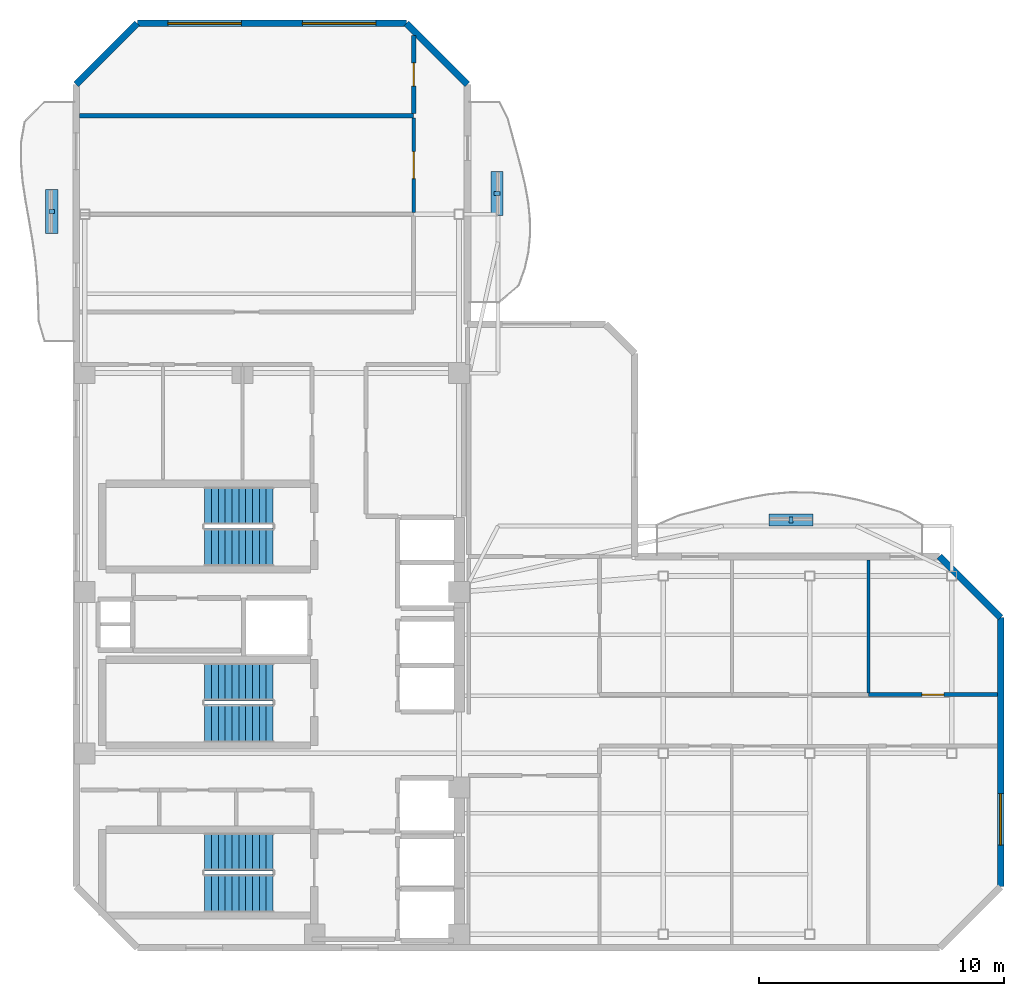
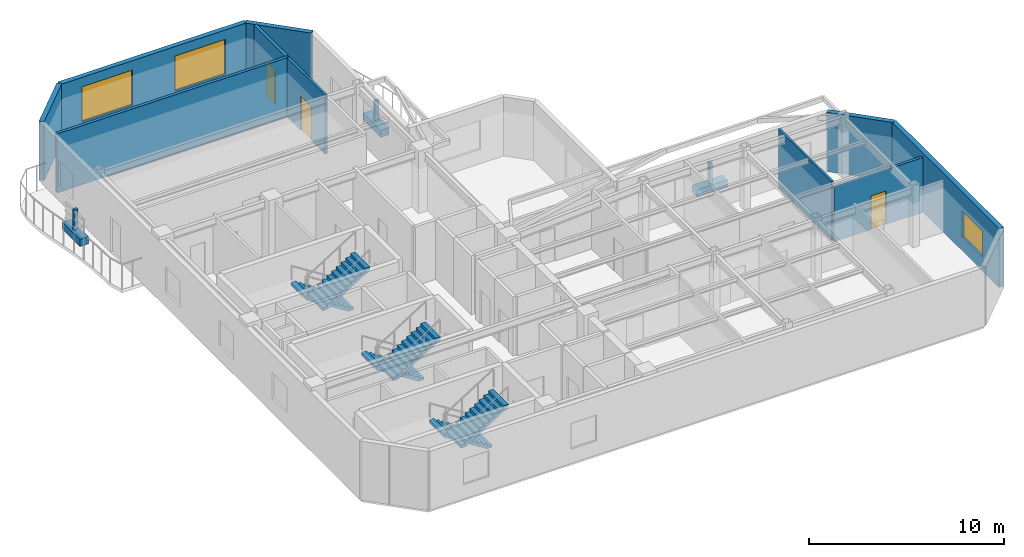
# One storey, part 5 of 7: 10 walls, 6 discrete accessories, 6 stair flights, 3 doors, 3 windows, 6 openings, 3 elements without a shape of their own.
"""IFC4 building model written with IfcOpenShell, lengths in metres."""

from ifc_helpers import new_model, si_unit, direction, frame, frame_2d, origin, origin_2d, place, context, subcontext, project, spatial, polyline, rectangle, outline, extrude, material, layer, layer_set, type_object, element, fill, aggregate, save


model = new_model("IFC4")

# Units and contexts
model_context = context("Model", 3, precision=1e-05, world=origin(), true_north=direction((0.0, 1.0)))
body_context = subcontext(model_context, "Body", "Model", "MODEL_VIEW")
ifc_project = project(units=[si_unit("LENGTHUNIT", "METRE"), si_unit("AREAUNIT", "SQUARE_METRE"), si_unit("VOLUMEUNIT", "CUBIC_METRE"), si_unit("PLANEANGLEUNIT", "RADIAN"), si_unit("MASSUNIT", "GRAM", prefix="KILO")], contexts=[model_context])

# Site, building, storey
site_placement = place(None, origin())
site = spatial("IfcSite", under=ifc_project, at=site_placement, CompositionType="ELEMENT")
building_placement = place(site_placement, origin())
building = spatial("IfcBuilding", under=site, at=building_placement, Name="Mawjaban Terraces University", CompositionType="ELEMENT")
storey_placement = place(building_placement, frame((0.0, 0.0, 252.10009765625)))
storey = spatial("IfcBuildingStorey", under=building, at=storey_placement, Name="L61", CompositionType="ELEMENT", Elevation=252.10009765625)

# Wall
ifc_material_1 = material(Name="Acoustic masonry blockwork", Category="masonry")
ifc_layer_1 = layer(ifc_material_1, 0.179931640625)
ifc_layer_set_1 = layer_set([ifc_layer_1], Name="Acoustic masonry blockwork")
wall_type_1 = type_object("IfcWallType", Name="AcousticStudioWall_180", PredefinedType="PARTITIONING", material=ifc_layer_set_1)
wall_1_placement = place(storey_placement, frame((35.800048828125, 34.02001953125, 0.0), z_axis=(0.0, 0.0, 1.0), x_axis=(-1.0, 0.0, 0.0)))
element("IfcWall", 1, at=wall_1_placement, inside=storey, type_object=wall_type_1, Name="L61 Computational Laboratory 9 Partition 14", PredefinedType="PARTITIONING", context=body_context, shape_type="SweptSolid", body=[
    extrude(rectangle(XDim=13.6669921875, YDim=0.179931640625, at=frame_2d((6.83349609375, 0.0))), origin(), (0.0, 0.0, 1.0), 3.68994140625),
])

# Wall, opening, door
wall_2_placement = place(storey_placement, frame((35.800048828125, 37.31298828125, 0.0), z_axis=(0.0, 0.0, 1.0), x_axis=(0.0, -1.0, 0.0)))
wall_2 = element("IfcWall", 2, at=wall_2_placement, inside=storey, type_object=wall_type_1, Name="L61 Upper North Research Gallery Partition 35", PredefinedType="PARTITIONING", context=body_context, shape_type="SweptSolid", body=[
    extrude(rectangle(XDim=3.2080078125, YDim=0.179931640625, at=frame_2d((1.60400390625, 0.0))), origin(), (0.0, 0.0, 1.0), 3.68994140625),
])
opening_1_placement = place(wall_2_placement, frame((1.12890625, 0.0, 0.0)))
opening_1 = element("IfcOpeningElement", 3, at=opening_1_placement, cuts=wall_2, Name="Opening ID-095", PredefinedType="OPENING", context=body_context, shape_type="SweptSolid", body=[
    extrude(rectangle(XDim=0.949951171875, YDim=2.10009765625, at=frame_2d((0.47509765625, 1.050048828125))), frame((0.0, 0.099853515625, 0.0), z_axis=(0.0, -1.0, 0.0), x_axis=(1.0, 0.0, 0.0)), (0.0, 0.0, 1.0), 0.199951171875),
])
ifc_material_2 = material(Name="Powder-coated steel frame and solid acoustic timber leaf", Category="steel")
door_type_1 = type_object("IfcDoorType", Name="StudioDoor_950x2100", OperationType="NOTDEFINED", PredefinedType="DOOR", material=ifc_material_2)
door_1_placement = place(opening_1_placement, origin())
door_1 = element("IfcDoor", 4, at=door_1_placement, inside=storey, type_object=door_type_1, Name="L61 Design Studio 10 Door", OperationType="SINGLE_SWING_RIGHT", OverallHeight=2.10009765625, OverallWidth=0.949951171875, PredefinedType="DOOR", context=body_context, shape_type="SweptSolid", body=[
    extrude(rectangle(XDim=0.949951171875, YDim=2.10009765625, at=frame_2d((0.47509765625, 1.050048828125))), frame((0.0, 0.02490234375, 0.0), z_axis=(0.0, -1.0, 0.0), x_axis=(1.0, 0.0, 0.0)), (0.0, 0.0, 1.0), 0.050048828125),
])
fill(opening_1, door_1)

ifc_material_3 = material(Name="Fire-rated gypsum board on steel stud", Category="steel")
ifc_layer_2 = layer(ifc_material_3, 0.159912109375)
ifc_layer_set_2 = layer_set([ifc_layer_2], Name="Fire-rated gypsum board on steel stud")
wall_type_2 = type_object("IfcWallType", Name="CorridorPartition_160", PredefinedType="PARTITIONING", material=ifc_layer_set_2)
wall_3_placement = place(storey_placement, frame((59.6669921875, 10.35009765625, 0.0), z_axis=(0.0, 0.0, 1.0), x_axis=(-1.0, 0.0, 0.0)))
wall_3 = element("IfcWall", 5, at=wall_3_placement, inside=storey, type_object=wall_type_2, Name="L61 Upper East Research Corridor Partition 24", PredefinedType="PARTITIONING", context=body_context, shape_type="SweptSolid", body=[
    extrude(rectangle(XDim=5.277099609375, YDim=0.159912109375, at=frame_2d((2.638671875, 0.0))), origin(), (0.0, 0.0, 1.0), 3.423828125),
])
opening_2_placement = place(wall_3_placement, frame((2.18896484375, 0.0, 0.0)))
opening_2 = element("IfcOpeningElement", 6, at=opening_2_placement, cuts=wall_3, Name="Opening ID-090", PredefinedType="OPENING", context=body_context, shape_type="SweptSolid", body=[
    extrude(rectangle(XDim=0.89990234375, YDim=2.10009765625, at=frame_2d((0.449951171875, 1.050048828125))), frame((0.0, 0.08984375, 0.0), z_axis=(0.0, -1.0, 0.0), x_axis=(1.0, 0.0, 0.0)), (0.0, 0.0, 1.0), 0.179931640625),
])
door_type_2 = type_object("IfcDoorType", Name="OfficeDoor_900x2100", OperationType="NOTDEFINED", PredefinedType="DOOR", material=ifc_material_2)
door_2_placement = place(opening_2_placement, origin())
door_2 = element("IfcDoor", 7, at=door_2_placement, inside=storey, type_object=door_type_2, Name="L61 Faculty Office 7 Door", OperationType="SINGLE_SWING_LEFT", OverallHeight=2.10009765625, OverallWidth=0.89990234375, PredefinedType="DOOR", context=body_context, shape_type="SweptSolid", body=[
    extrude(rectangle(XDim=0.89990234375, YDim=2.10009765625, at=frame_2d((0.449951171875, 1.050048828125))), frame((0.0, 0.02490234375, 0.0), z_axis=(0.0, -1.0, 0.0), x_axis=(1.0, 0.0, 0.0)), (0.0, 0.0, 1.0), 0.050048828125),
])
fill(opening_2, door_2)

# Wall, opening, window
ifc_material_4 = material(Name="Insulated terracotta rainscreen on concrete backup C40/50", Category="masonry")
ifc_layer_3 = layer(ifc_material_4, 0.27490234375)
ifc_layer_set_3 = layer_set([ifc_layer_3], Name="Insulated terracotta rainscreen on concrete backup C40/50")
wall_type_3 = type_object("IfcWallType", Name="ExtTerracottaWall_275", PredefinedType="SOLIDWALL", material=ifc_layer_set_3)
wall_4_placement = place(storey_placement, frame((59.800048828125, 2.5, 0.0), z_axis=(0.0, 0.0, 1.0), x_axis=(0.0, 1.0, 0.0)))
wall_4 = element("IfcWall", 8, at=wall_4_placement, inside=storey, type_object=wall_type_3, Name="L61 Exterior Terracotta Wall 3", PredefinedType="SOLIDWALL", context=body_context, shape_type="SweptSolid", body=[
    extrude(rectangle(XDim=11.0, YDim=0.27490234375, at=frame_2d((5.5, 0.0))), origin(), (0.0, 0.0, 1.0), 3.68994140625),
])
opening_3_placement = place(wall_4_placement, frame((1.699951171875, 0.0, 0.89990234375)))
opening_3 = element("IfcOpeningElement", 9, at=opening_3_placement, cuts=wall_4, Name="Opening W-04", PredefinedType="OPENING", context=body_context, shape_type="SweptSolid", body=[
    extrude(rectangle(XDim=2.10009765625, YDim=1.60009765625, at=frame_2d((1.050048828125, 0.800048828125))), frame((0.0, 0.1474609375, 0.0), z_axis=(0.0, -1.0, 0.0), x_axis=(1.0, 0.0, 0.0)), (0.0, 0.0, 1.0), 0.294921875),
])
ifc_material_5 = material(Name="Low-E solar-control double glazing in thermally broken aluminium frame", Category="aluminium")
window_type_1 = type_object("IfcWindowType", Name="Win_2100x1600", PartitioningType="SINGLE_PANEL", PredefinedType="WINDOW", material=ifc_material_5)
window_1_placement = place(opening_3_placement, origin())
window_1 = element("IfcWindow", 10, at=window_1_placement, inside=storey, type_object=window_type_1, Name="L61 Facade Window 3.1", OverallHeight=1.60009765625, OverallWidth=2.10009765625, PartitioningType="SINGLE_PANEL", PredefinedType="WINDOW", context=body_context, shape_type="SweptSolid", body=[
    extrude(rectangle(XDim=2.10009765625, YDim=1.60009765625, at=frame_2d((1.050048828125, 0.800048828125))), frame((0.0, 0.030029296875, 0.0), z_axis=(0.0, -1.0, 0.0), x_axis=(1.0, 0.0, 0.0)), (0.0, 0.0, 1.0), 0.06005859375),
])
fill(opening_3, window_1)

# Walls
for number, where, z_axis, x_axis, name in (
    (11, (59.800048828125, 13.5, 0.0), (0.0, 0.0, 1.0), (-0.707106781187, 0.707106781187, 0.0), "L61 Exterior Terracotta Wall 4"),
    (12, (38.0, 35.300048828125, 0.0), (0.0, 0.0, 1.0), (-0.707106781187, 0.707106781187, 0.0), "L61 Exterior Terracotta Wall 10"),
):
    element("IfcWall", number, at=place(storey_placement, frame(where, z_axis=z_axis, x_axis=x_axis)), inside=storey, type_object=wall_type_3, Name=name, PredefinedType="SOLIDWALL", context=body_context, shape_type="SweptSolid", body=[
        extrude(rectangle(XDim=3.53564453125, YDim=0.27490234375, at=frame_2d((1.767822265625, 0.0))), origin(), (0.0, 0.0, 1.0), 3.68994140625),
    ])

# Wall, openings, windows
wall_5_placement = place(storey_placement, frame((35.5, 37.800048828125, 0.0), z_axis=(0.0, 0.0, 1.0), x_axis=(-1.0, 0.0, 0.0)))
wall_5 = element("IfcWall", 13, at=wall_5_placement, inside=storey, type_object=wall_type_3, Name="L61 Exterior Terracotta Wall 11", PredefinedType="SOLIDWALL", context=body_context, shape_type="SweptSolid", body=[
    extrude(rectangle(XDim=11.0, YDim=0.27490234375, at=frame_2d((5.5, 0.0))), origin(), (0.0, 0.0, 1.0), 3.68994140625),
])
opening_4_placement = place(wall_5_placement, frame((1.25, 0.0, 0.89990234375)))
opening_4 = element("IfcOpeningElement", 14, at=opening_4_placement, cuts=wall_5, Name="Opening W-12", PredefinedType="OPENING", context=body_context, shape_type="SweptSolid", body=[
    extrude(rectangle(XDim=3.0, YDim=2.199951171875, at=frame_2d((1.5, 1.10009765625))), frame((0.0, 0.1474609375, 0.0), z_axis=(0.0, -1.0, 0.0), x_axis=(1.0, 0.0, 0.0)), (0.0, 0.0, 1.0), 0.294921875),
])
opening_5_placement = place(wall_5_placement, frame((6.75, 0.0, 0.89990234375)))
opening_5 = element("IfcOpeningElement", 15, at=opening_5_placement, cuts=wall_5, Name="Opening W-12", PredefinedType="OPENING", context=body_context, shape_type="SweptSolid", body=[
    extrude(rectangle(XDim=3.0, YDim=2.199951171875, at=frame_2d((1.5, 1.10009765625))), frame((0.0, 0.1474609375, 0.0), z_axis=(0.0, -1.0, 0.0), x_axis=(1.0, 0.0, 0.0)), (0.0, 0.0, 1.0), 0.294921875),
])
window_type_2 = type_object("IfcWindowType", Name="Win_3000x2200", PartitioningType="SINGLE_PANEL", PredefinedType="WINDOW", material=ifc_material_5)
window_2_placement = place(opening_4_placement, origin())
window_2 = element("IfcWindow", 16, at=window_2_placement, inside=storey, type_object=window_type_2, Name="L61 Facade Window 11.1", OverallHeight=2.199951171875, OverallWidth=3.0, PartitioningType="SINGLE_PANEL", PredefinedType="WINDOW", context=body_context, shape_type="SweptSolid", body=[
    extrude(rectangle(XDim=3.0, YDim=2.199951171875, at=frame_2d((1.5, 1.10009765625))), frame((0.0, 0.030029296875, 0.0), z_axis=(0.0, -1.0, 0.0), x_axis=(1.0, 0.0, 0.0)), (0.0, 0.0, 1.0), 0.06005859375),
])
fill(opening_4, window_2)
window_3_placement = place(opening_5_placement, origin())
window_3 = element("IfcWindow", 17, at=window_3_placement, inside=storey, type_object=window_type_2, Name="L61 Facade Window 11.2", OverallHeight=2.199951171875, OverallWidth=3.0, PartitioningType="SINGLE_PANEL", PredefinedType="WINDOW", context=body_context, shape_type="SweptSolid", body=[
    extrude(rectangle(XDim=3.0, YDim=2.199951171875, at=frame_2d((1.5, 1.10009765625))), frame((0.0, 0.030029296875, 0.0), z_axis=(0.0, -1.0, 0.0), x_axis=(1.0, 0.0, 0.0)), (0.0, 0.0, 1.0), 0.06005859375),
])
fill(opening_5, window_3)

# Wall
wall_6_placement = place(storey_placement, frame((24.5, 37.800048828125, 0.0), z_axis=(0.0, 0.0, 1.0), x_axis=(-0.707106781187, -0.707106781187, 0.0)))
element("IfcWall", 18, at=wall_6_placement, inside=storey, type_object=wall_type_3, Name="L61 Exterior Terracotta Wall 12", PredefinedType="SOLIDWALL", context=body_context, shape_type="SweptSolid", body=[
    extrude(rectangle(XDim=3.53564453125, YDim=0.27490234375, at=frame_2d((1.767822265625, 0.0))), origin(), (0.0, 0.0, 1.0), 3.68994140625),
])

# Wall, opening, door
ifc_material_6 = material(Name="Moisture-resistant gypsum board on steel stud", Category="steel")
ifc_layer_4 = layer(ifc_material_6, 0.14501953125)
ifc_layer_set_4 = layer_set([ifc_layer_4], Name="Moisture-resistant gypsum board on steel stud")
wall_type_4 = type_object("IfcWallType", Name="LabPartition_145", PredefinedType="PARTITIONING", material=ifc_layer_set_4)
wall_7_placement = place(storey_placement, frame((35.800048828125, 33.93505859375, 0.0), z_axis=(0.0, 0.0, 1.0), x_axis=(0.0, -1.0, 0.0)))
wall_7 = element("IfcWall", 19, at=wall_7_placement, inside=storey, type_object=wall_type_4, Name="L61 Upper North Research Gallery Partition 34", PredefinedType="PARTITIONING", context=body_context, shape_type="SweptSolid", body=[
    extrude(rectangle(XDim=3.8681640625, YDim=0.14501953125, at=frame_2d((1.93408203125, 0.0))), origin(), (0.0, 0.0, 1.0), 3.68994140625),
])
opening_6_placement = place(wall_7_placement, frame((1.384033203125, 0.0, 0.0)))
opening_6 = element("IfcOpeningElement", 20, at=opening_6_placement, cuts=wall_7, Name="Opening ID-110", PredefinedType="OPENING", context=body_context, shape_type="SweptSolid", body=[
    extrude(rectangle(XDim=1.10009765625, YDim=2.14990234375, at=frame_2d((0.550048828125, 1.074951171875))), frame((0.0, 0.08251953125, 0.0), z_axis=(0.0, -1.0, 0.0), x_axis=(1.0, 0.0, 0.0)), (0.0, 0.0, 1.0), 0.1650390625),
])
door_type_3 = type_object("IfcDoorType", Name="LabDoor_1100x2150", OperationType="NOTDEFINED", PredefinedType="DOOR", material=ifc_material_2)
door_3_placement = place(opening_6_placement, origin())
door_3 = element("IfcDoor", 21, at=door_3_placement, inside=storey, type_object=door_type_3, Name="L61 Computational Laboratory 9 Door", OperationType="SINGLE_SWING_LEFT", OverallHeight=2.14990234375, OverallWidth=1.10009765625, PredefinedType="DOOR", context=body_context, shape_type="SweptSolid", body=[
    extrude(rectangle(XDim=1.10009765625, YDim=2.14990234375, at=frame_2d((0.550048828125, 1.074951171875))), frame((0.0, 0.02490234375, 0.0), z_axis=(0.0, -1.0, 0.0), x_axis=(1.0, 0.0, 0.0)), (0.0, 0.0, 1.0), 0.050048828125),
])
fill(opening_6, door_3)

# Wall
ifc_material_7 = material(Name="Gypsum plasterboard on steel stud", Category="steel")
ifc_layer_5 = layer(ifc_material_7, 0.125)
ifc_layer_set_5 = layer_set([ifc_layer_5], Name="Gypsum plasterboard on steel stud")
wall_type_5 = type_object("IfcWallType", Name="OfficePartition_125", PredefinedType="PARTITIONING", material=ifc_layer_set_5)
wall_8_placement = place(storey_placement, frame((54.389892578125, 10.425048828125, 0.0), z_axis=(0.0, 0.0, 1.0), x_axis=(0.0, 1.0, 0.0)))
element("IfcWall", 22, at=wall_8_placement, inside=storey, type_object=wall_type_5, Name="L61 Seminar Room 5 Partition 47", PredefinedType="PARTITIONING", context=body_context, shape_type="SweptSolid", body=[
    extrude(rectangle(XDim=5.44189453125, YDim=0.125, at=frame_2d((2.720947265625, 0.0))), origin(), (0.0, 0.0, 1.0), 3.68994140625),
])

# Stair, stair flights
ifc_material_8 = material(Name="Concrete C40/50", Category="concrete")
stair_type = type_object("IfcStairType", Name="Stair_Core1550_H39", PredefinedType="HALF_TURN_STAIR", material=ifc_material_8)
stair_1_placement = place(storey_placement, origin())
stair_1 = element("IfcStair", 23, at=stair_1_placement, inside=storey, type_object=stair_type, Name="L61 Core Exit Stair 1", PredefinedType="HALF_TURN_STAIR")
stair_flight_type = type_object("IfcStairFlightType", Name="Flight_Core1550_H39", PredefinedType="STRAIGHT", material=ifc_material_8)
stair_flight_1_placement = place(storey_placement, frame((30.050048828125, 3.925048828125, 0.0), z_axis=(0.0, 0.0, 1.0), x_axis=(-1.0, 0.0, 0.0)))
stair_flight_1 = element("IfcStairFlight", 24, at=stair_flight_1_placement, type_object=stair_flight_type, Name="ST-1 flight 1", NumberOfRisers=11, NumberOfTreads=10, PredefinedType="STRAIGHT", RiserHeight=0.177272727, TreadLength=0.28, context=body_context, shape_type="SweptSolid", body=[
    extrude(outline(polyline([(0.0, 0.0), (0.0, 0.17724609375), (0.280029296875, 0.17724609375), (0.280029296875, 0.3544921875), (0.56005859375, 0.3544921875), (0.56005859375, 0.53173828125), (0.840087890625, 0.53173828125), (0.840087890625, 0.708984375), (1.1201171875, 0.708984375), (1.1201171875, 0.886474609375), (1.39990234375, 0.886474609375), (1.39990234375, 1.063720703125), (1.679931640625, 1.063720703125), (1.679931640625, 1.240966796875), (1.9599609375, 1.240966796875), (1.9599609375, 1.418212890625), (2.239990234375, 1.418212890625), (2.239990234375, 1.595458984375), (2.52001953125, 1.595458984375), (2.52001953125, 1.772705078125), (2.800048828125, 1.772705078125), (2.800048828125, 1.949951171875), (2.800048828125, 1.59521484375), (0.2802734375, 0.0), (0.0, 0.0)])), frame((0.0, 0.77490234375, 0.0), z_axis=(0.0, -1.0, 0.0), x_axis=(1.0, 0.0, 0.0)), (0.0, 0.0, 1.0), 1.550048828125),
])
stair_flight_2_placement = place(storey_placement, frame((27.25, 2.22509765625, 1.949951171875), z_axis=(0.0, 0.0, 1.0), x_axis=(1.0, 0.0, 0.0)))
stair_flight_2 = element("IfcStairFlight", 25, at=stair_flight_2_placement, type_object=stair_flight_type, Name="ST-1 flight 2", NumberOfRisers=11, NumberOfTreads=10, PredefinedType="STRAIGHT", RiserHeight=0.177272727, TreadLength=0.28, context=body_context, shape_type="SweptSolid", body=[
    extrude(outline(polyline([(0.0, 0.0), (0.0, 0.17724609375), (0.280029296875, 0.17724609375), (0.280029296875, 0.3544921875), (0.56005859375, 0.3544921875), (0.56005859375, 0.53173828125), (0.840087890625, 0.53173828125), (0.840087890625, 0.708984375), (1.1201171875, 0.708984375), (1.1201171875, 0.886474609375), (1.39990234375, 0.886474609375), (1.39990234375, 1.063720703125), (1.679931640625, 1.063720703125), (1.679931640625, 1.240966796875), (1.9599609375, 1.240966796875), (1.9599609375, 1.418212890625), (2.239990234375, 1.418212890625), (2.239990234375, 1.595458984375), (2.52001953125, 1.595458984375), (2.52001953125, 1.772705078125), (2.800048828125, 1.772705078125), (2.800048828125, 1.949951171875), (2.800048828125, 1.59521484375), (0.2802734375, 0.0), (0.0, 0.0)])), frame((0.0, 0.77490234375, 0.0), z_axis=(0.0, -1.0, 0.0), x_axis=(1.0, 0.0, 0.0)), (0.0, 0.0, 1.0), 1.550048828125),
])
aggregate(stair_1, [stair_flight_1, stair_flight_2])

stair_2_placement = place(storey_placement, origin())
stair_2 = element("IfcStair", 26, at=stair_2_placement, inside=storey, type_object=stair_type, Name="L61 Core Exit Stair 2", PredefinedType="HALF_TURN_STAIR")
stair_flight_3_placement = place(storey_placement, frame((30.050048828125, 18.074951171875, 0.0), z_axis=(0.0, 0.0, 1.0), x_axis=(-1.0, 0.0, 0.0)))
stair_flight_3 = element("IfcStairFlight", 27, at=stair_flight_3_placement, type_object=stair_flight_type, Name="ST-2 flight 1", NumberOfRisers=11, NumberOfTreads=10, PredefinedType="STRAIGHT", RiserHeight=0.177272727, TreadLength=0.28, context=body_context, shape_type="SweptSolid", body=[
    extrude(outline(polyline([(0.0, 0.0), (0.0, 0.17724609375), (0.280029296875, 0.17724609375), (0.280029296875, 0.3544921875), (0.56005859375, 0.3544921875), (0.56005859375, 0.53173828125), (0.840087890625, 0.53173828125), (0.840087890625, 0.708984375), (1.1201171875, 0.708984375), (1.1201171875, 0.886474609375), (1.39990234375, 0.886474609375), (1.39990234375, 1.063720703125), (1.679931640625, 1.063720703125), (1.679931640625, 1.240966796875), (1.9599609375, 1.240966796875), (1.9599609375, 1.418212890625), (2.239990234375, 1.418212890625), (2.239990234375, 1.595458984375), (2.52001953125, 1.595458984375), (2.52001953125, 1.772705078125), (2.800048828125, 1.772705078125), (2.800048828125, 1.949951171875), (2.800048828125, 1.59521484375), (0.2802734375, 0.0), (0.0, 0.0)])), frame((0.0, 0.77490234375, 0.0), z_axis=(0.0, -1.0, 0.0), x_axis=(1.0, 0.0, 0.0)), (0.0, 0.0, 1.0), 1.550048828125),
])
stair_flight_4_placement = place(storey_placement, frame((27.25, 16.375, 1.949951171875), z_axis=(0.0, 0.0, 1.0), x_axis=(1.0, 0.0, 0.0)))
stair_flight_4 = element("IfcStairFlight", 28, at=stair_flight_4_placement, type_object=stair_flight_type, Name="ST-2 flight 2", NumberOfRisers=11, NumberOfTreads=10, PredefinedType="STRAIGHT", RiserHeight=0.177272727, TreadLength=0.28, context=body_context, shape_type="SweptSolid", body=[
    extrude(outline(polyline([(0.0, 0.0), (0.0, 0.17724609375), (0.280029296875, 0.17724609375), (0.280029296875, 0.3544921875), (0.56005859375, 0.3544921875), (0.56005859375, 0.53173828125), (0.840087890625, 0.53173828125), (0.840087890625, 0.708984375), (1.1201171875, 0.708984375), (1.1201171875, 0.886474609375), (1.39990234375, 0.886474609375), (1.39990234375, 1.063720703125), (1.679931640625, 1.063720703125), (1.679931640625, 1.240966796875), (1.9599609375, 1.240966796875), (1.9599609375, 1.418212890625), (2.239990234375, 1.418212890625), (2.239990234375, 1.595458984375), (2.52001953125, 1.595458984375), (2.52001953125, 1.772705078125), (2.800048828125, 1.772705078125), (2.800048828125, 1.949951171875), (2.800048828125, 1.59521484375), (0.2802734375, 0.0), (0.0, 0.0)])), frame((0.0, 0.77490234375, 0.0), z_axis=(0.0, -1.0, 0.0), x_axis=(1.0, 0.0, 0.0)), (0.0, 0.0, 1.0), 1.550048828125),
])
aggregate(stair_2, [stair_flight_3, stair_flight_4])

stair_3_placement = place(storey_placement, origin())
stair_3 = element("IfcStair", 29, at=stair_3_placement, inside=storey, type_object=stair_type, Name="L61 Core Exit Stair 3", PredefinedType="HALF_TURN_STAIR")
stair_flight_5_placement = place(storey_placement, frame((30.050048828125, 10.875, 0.0), z_axis=(0.0, 0.0, 1.0), x_axis=(-1.0, 0.0, 0.0)))
stair_flight_5 = element("IfcStairFlight", 30, at=stair_flight_5_placement, type_object=stair_flight_type, Name="ST-3 flight 1", NumberOfRisers=11, NumberOfTreads=10, PredefinedType="STRAIGHT", RiserHeight=0.177272727, TreadLength=0.28, context=body_context, shape_type="SweptSolid", body=[
    extrude(outline(polyline([(0.0, 0.0), (0.0, 0.17724609375), (0.280029296875, 0.17724609375), (0.280029296875, 0.3544921875), (0.56005859375, 0.3544921875), (0.56005859375, 0.53173828125), (0.840087890625, 0.53173828125), (0.840087890625, 0.708984375), (1.1201171875, 0.708984375), (1.1201171875, 0.886474609375), (1.39990234375, 0.886474609375), (1.39990234375, 1.063720703125), (1.679931640625, 1.063720703125), (1.679931640625, 1.240966796875), (1.9599609375, 1.240966796875), (1.9599609375, 1.418212890625), (2.239990234375, 1.418212890625), (2.239990234375, 1.595458984375), (2.52001953125, 1.595458984375), (2.52001953125, 1.772705078125), (2.800048828125, 1.772705078125), (2.800048828125, 1.949951171875), (2.800048828125, 1.59521484375), (0.2802734375, 0.0), (0.0, 0.0)])), frame((0.0, 0.77490234375, 0.0), z_axis=(0.0, -1.0, 0.0), x_axis=(1.0, 0.0, 0.0)), (0.0, 0.0, 1.0), 1.550048828125),
])
stair_flight_6_placement = place(storey_placement, frame((27.25, 9.175048828125, 1.949951171875), z_axis=(0.0, 0.0, 1.0), x_axis=(1.0, 0.0, 0.0)))
stair_flight_6 = element("IfcStairFlight", 31, at=stair_flight_6_placement, type_object=stair_flight_type, Name="ST-3 flight 2", NumberOfRisers=11, NumberOfTreads=10, PredefinedType="STRAIGHT", RiserHeight=0.177272727, TreadLength=0.28, context=body_context, shape_type="SweptSolid", body=[
    extrude(outline(polyline([(0.0, 0.0), (0.0, 0.17724609375), (0.280029296875, 0.17724609375), (0.280029296875, 0.3544921875), (0.56005859375, 0.3544921875), (0.56005859375, 0.53173828125), (0.840087890625, 0.53173828125), (0.840087890625, 0.708984375), (1.1201171875, 0.708984375), (1.1201171875, 0.886474609375), (1.39990234375, 0.886474609375), (1.39990234375, 1.063720703125), (1.679931640625, 1.063720703125), (1.679931640625, 1.240966796875), (1.9599609375, 1.240966796875), (1.9599609375, 1.418212890625), (2.239990234375, 1.418212890625), (2.239990234375, 1.595458984375), (2.52001953125, 1.595458984375), (2.52001953125, 1.772705078125), (2.800048828125, 1.772705078125), (2.800048828125, 1.949951171875), (2.800048828125, 1.59521484375), (0.2802734375, 0.0), (0.0, 0.0)])), frame((0.0, 0.77490234375, 0.0), z_axis=(0.0, -1.0, 0.0), x_axis=(1.0, 0.0, 0.0)), (0.0, 0.0, 1.0), 1.550048828125),
])
aggregate(stair_3, [stair_flight_5, stair_flight_6])

# Discrete accessories
ifc_material_9 = material(Name="Stainless steel 316L", Category="steel")
discrete_accessory_type_1 = type_object("IfcDiscreteAccessoryType", Name="FacadeScreenBracket_Steel", PredefinedType="BRACKET", material=ifc_material_9)
for number, where, z_axis, x_axis, name in (
    (32, (21.0029296875, 30.10791015625, 0.419921875), (0.0, 0.0, 1.0), (0.0, 1.0, 0.0), "L61 Balcony Screen Support Bracket west"),
    (33, (51.22802734375, 17.4970703125, 0.419921875), (0.0, 0.0, 1.0), (1.0, 0.0, 0.0), "L61 Balcony Screen Support Bracket inner_north"),
    (34, (39.2080078125, 30.841064453125, 0.419921875), (0.0, 0.0, 1.0), (0.0, 1.0, 0.0), "L61 Balcony Screen Support Bracket inner_east"),
):
    element("IfcDiscreteAccessory", number, at=place(storey_placement, frame(where, z_axis=z_axis, x_axis=x_axis)), inside=storey, type_object=discrete_accessory_type_1, Name=name, PredefinedType="BRACKET", context=body_context, shape_type="SweptSolid", body=[
        extrude(rectangle(XDim=0.159912109375, YDim=0.239990234375, at=origin_2d()), origin(), (0.0, 0.0, 1.0), 1.300048828125),
    ])
ifc_material_10 = material(Name="Precast architectural terracotta planter with engineered planting soil", Category="masonry")
discrete_accessory_type_2 = type_object("IfcDiscreteAccessoryType", Name="IrrigatedPlanterTrough_450", PredefinedType="USERDEFINED", material=ifc_material_10)
for number, where, z_axis, x_axis, name in (
    (35, (21.0029296875, 30.10791015625, -0.0048828125), (0.0, 0.0, 1.0), (0.0, 1.0, 0.0), "L61 Balcony Irrigated Planter west"),
    (36, (51.22802734375, 17.4970703125, -0.0048828125), (0.0, 0.0, 1.0), (1.0, 0.0, 0.0), "L61 Balcony Irrigated Planter inner_north"),
    (37, (39.2080078125, 30.841064453125, -0.0048828125), (0.0, 0.0, 1.0), (0.0, 1.0, 0.0), "L61 Balcony Irrigated Planter inner_east"),
):
    element("IfcDiscreteAccessory", number, at=place(storey_placement, frame(where, z_axis=z_axis, x_axis=x_axis)), inside=storey, type_object=discrete_accessory_type_2, Name=name, ObjectType="PLANTER", PredefinedType="USERDEFINED", context=body_context, shape_type="SweptSolid", body=[
        extrude(rectangle(XDim=1.800048828125, YDim=0.5, at=origin_2d()), origin(), (0.0, 0.0, 1.0), 0.449951171875),
    ])

save(model, "model.ifc")
